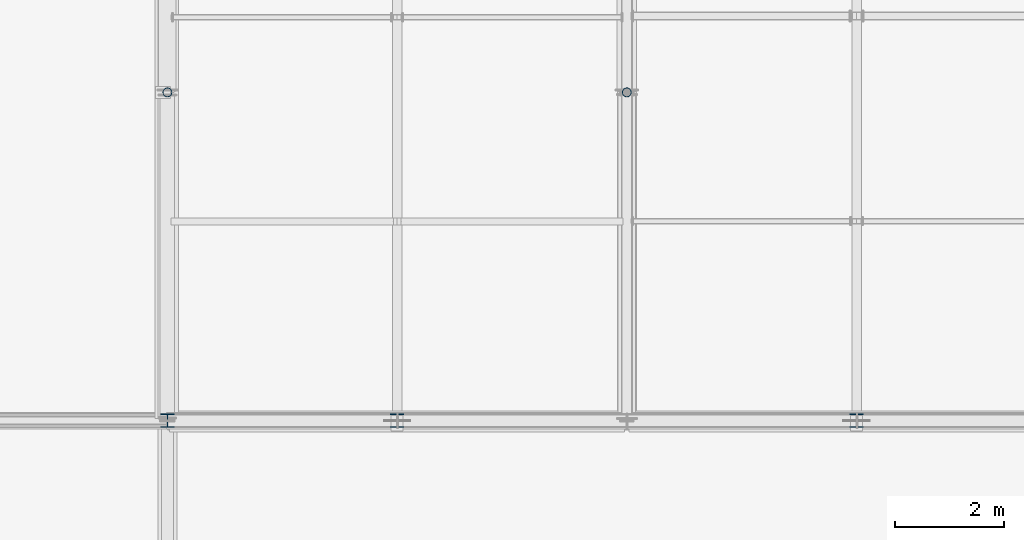
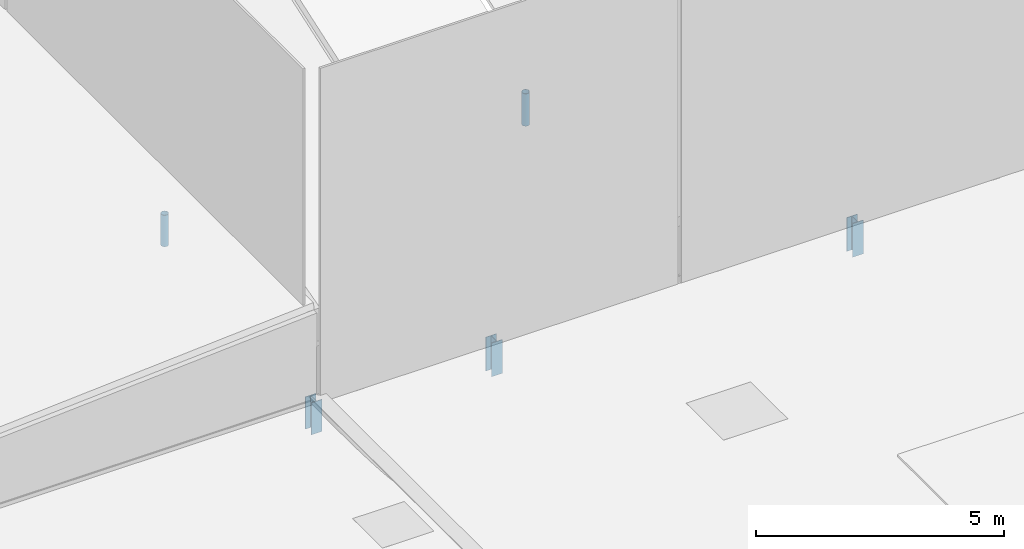
# One storey, part 41 of 77: 5 members.
"""IFC4 building model written with IfcOpenShell, lengths in metres."""

from ifc_helpers import new_model, si_unit, direction, frame, origin, origin_2d, place, context, subcontext, project, spatial, hollow_circle, i_section, extrude, material, material_profile, profile_set, type_object, element, save


model = new_model("IFC4")

# Units and contexts
model_context = context("Model", 3, precision=1e-05, world=origin(), true_north=direction((0.0, 1.0)))
body_context = subcontext(model_context, "Body", "Model", "MODEL_VIEW")
ifc_project = project(units=[si_unit("LENGTHUNIT", "METRE"), si_unit("AREAUNIT", "SQUARE_METRE"), si_unit("VOLUMEUNIT", "CUBIC_METRE"), si_unit("PLANEANGLEUNIT", "RADIAN"), si_unit("MASSUNIT", "GRAM", prefix="KILO")], contexts=[model_context])

# Site, building, storey
site_placement = place(None, origin())
site = spatial("IfcSite", under=ifc_project, at=site_placement, CompositionType="ELEMENT")
building_placement = place(site_placement, origin())
building = spatial("IfcBuilding", under=site, at=building_placement, Name="Larkvane Passage Sports Hall", CompositionType="ELEMENT")
storey_placement = place(building_placement, frame((0.0, 0.0, 22.199951171875)))
storey = spatial("IfcBuildingStorey", under=building, at=storey_placement, Name="RF", CompositionType="ELEMENT", Elevation=22.199951171875)

# Members
ifc_material = material(Name="Steel S355JR", Category="steel")
ifc_material_profile_1 = material_profile(ifc_material, hollow_circle(Radius=0.08251953125, WallThickness=0.006103515625, at=origin_2d()), Name="CHS-165.2x6.0")
ifc_profile_set_1 = profile_set([ifc_material_profile_1], Name="Steel S355JR")
member_type_1 = type_object("IfcMemberType", Name="MBR-ST-CHS165", PredefinedType="STRUT", material=ifc_profile_set_1)
member_1_placement = place(storey_placement, frame((34.800048828125, 45.60009765625, 0.18994140625), z_axis=(0.0, 0.0, 1.0), x_axis=(1.0, 0.0, 0.0)))
element("IfcMember", 1, at=member_1_placement, inside=storey, type_object=member_type_1, Name="Arena roof truss 1 vertical strut 1", PredefinedType="STRUT", context=body_context, shape_type="SweptSolid", body=[
    extrude(hollow_circle(Radius=0.08251953125, WallThickness=0.006103515625, at=origin_2d()), origin(), (0.0, 0.0, 1.0), 0.772705078125),
])
member_2_placement = place(storey_placement, frame((43.199951171875, 45.60009765625, 0.215087890625), z_axis=(0.0, 0.0, 1.0), x_axis=(1.0, 0.0, 0.0)))
element("IfcMember", 2, at=member_2_placement, inside=storey, type_object=member_type_1, Name="Arena roof truss 2 vertical strut 1", PredefinedType="STRUT", context=body_context, shape_type="SweptSolid", body=[
    extrude(hollow_circle(Radius=0.08251953125, WallThickness=0.006103515625, at=origin_2d()), origin(), (0.0, 0.0, 1.0), 0.797607421875),
])
ifc_material_profile_2 = material_profile(ifc_material, i_section(OverallWidth=0.25, OverallDepth=0.25, WebThickness=0.009033203125, FlangeThickness=0.013916015625, FilletRadius=0.012939453125, at=origin_2d()), Name="H-250x250x9x14")
ifc_profile_set_2 = profile_set([ifc_material_profile_2], Name="Steel S355JR")
member_type_2 = type_object("IfcMemberType", Name="MBR-ST-H250", PredefinedType="STRUT", material=ifc_profile_set_2)
member_3_placement = place(storey_placement, frame((34.800048828125, 39.60009765625, -0.739990234375), z_axis=(0.0, 0.0, 1.0), x_axis=(1.0, 0.0, 0.0)))
element("IfcMember", 3, at=member_3_placement, inside=storey, type_object=member_type_2, Name="Arena west eave tie truss valley post", PredefinedType="STRUT", context=body_context, shape_type="SweptSolid", body=[
    extrude(i_section(OverallWidth=0.25, OverallDepth=0.25, WebThickness=0.009033203125, FlangeThickness=0.013916015625, FilletRadius=0.012939453125, at=origin_2d()), origin(), (0.0, 0.0, 1.0), 0.7900390625),
])
for number, where, z_axis, x_axis, name in (
    (4, (39.0, 39.60009765625, -0.780029296875), (0.0, 0.0, 1.0), (1.0, 0.0, 0.0), "Arena south valley eave truss post 1"),
    (5, (47.39990234375, 39.60009765625, -0.780029296875), (0.0, 0.0, 1.0), (1.0, 0.0, 0.0), "Arena south valley eave truss post 2"),
):
    element("IfcMember", number, at=place(storey_placement, frame(where, z_axis=z_axis, x_axis=x_axis)), inside=storey, type_object=member_type_2, Name=name, PredefinedType="STRUT", context=body_context, shape_type="SweptSolid", body=[
        extrude(i_section(OverallWidth=0.25, OverallDepth=0.25, WebThickness=0.009033203125, FlangeThickness=0.013916015625, FilletRadius=0.012939453125, at=origin_2d()), origin(), (0.0, 0.0, 1.0), 0.830078125),
    ])

save(model, "model.ifc")
